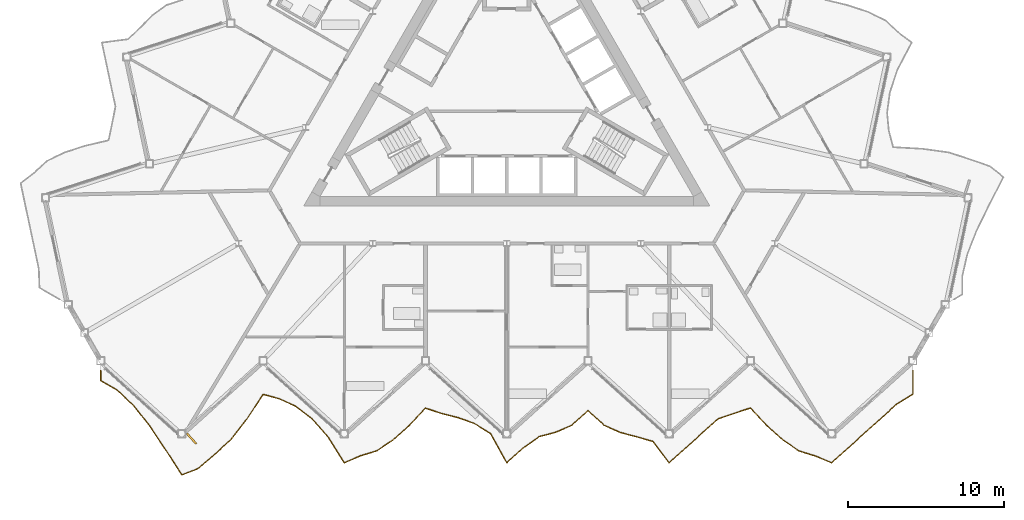
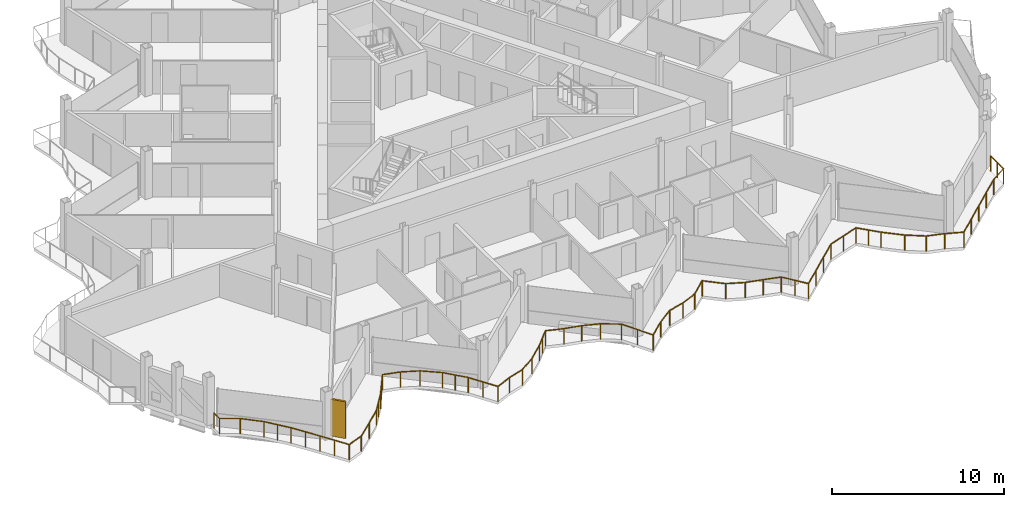
# One storey, part 21 of 25: 1 railing, 1 shading device.
"""IFC4 building model written with IfcOpenShell, lengths in metres."""

from ifc_helpers import new_model, si_unit, direction, frame, origin, origin_2d, place, context, subcontext, project, spatial, rectangle, circle, extrude, material, layer, layer_set, type_object, element, save


model = new_model("IFC4")

# Units and contexts
model_context = context("Model", 3, precision=1e-05, world=origin(), true_north=direction((0.0, 1.0)))
body_context = subcontext(model_context, "Body", "Model", "MODEL_VIEW")
ifc_project = project(units=[si_unit("LENGTHUNIT", "METRE"), si_unit("AREAUNIT", "SQUARE_METRE"), si_unit("VOLUMEUNIT", "CUBIC_METRE"), si_unit("PLANEANGLEUNIT", "RADIAN"), si_unit("MASSUNIT", "GRAM", prefix="KILO")], contexts=[model_context])

# Site, building, storey
site_placement = place(None, origin())
site = spatial("IfcSite", under=ifc_project, at=site_placement, CompositionType="ELEMENT")
building_placement = place(site_placement, origin())
building = spatial("IfcBuilding", under=site, at=building_placement, Name="Cormorant Prow Tower", CompositionType="ELEMENT")
storey_placement = place(building_placement, frame((0.0, 0.0, 395.0)))
storey = spatial("IfcBuildingStorey", under=building, at=storey_placement, Name="L90", CompositionType="ELEMENT", Elevation=395.0)

# Railing
ifc_material_1 = material(Name="Aluminium 6063-T6", Category="aluminium")
railing_type = type_object("IfcRailingType", Name="Balcony guard 1100", PredefinedType="GUARDRAIL", material=ifc_material_1)
railing_placement = place(storey_placement, frame((-26.0, -18.044921875, 0.0)))
element("IfcRailing", 1, at=railing_placement, inside=storey, type_object=railing_type, Name="Balcony guard S", PredefinedType="GUARDRAIL", context=body_context, shape_type="SweptSolid", body=[
    extrude(circle(Radius=0.02392578125, at=origin_2d()), frame((0.0, 0.0, 1.076171875), z_axis=(0.0, -1.0, 0.0), x_axis=(1.0, 0.0, 0.0)), (0.0, 0.0, 1.0), 0.635986328125),
    extrude(circle(Radius=0.02392578125, at=origin_2d()), frame((0.0, -0.635986328125, 1.076171875), z_axis=(0.864396442809, -0.502810888564, 0.0), x_axis=(0.502810888564, 0.864396442809, 0.0)), (0.0, 0.0, 1.0), 1.203125),
    extrude(circle(Radius=0.02392578125, at=origin_2d()), frame((1.0400390625, -1.240966796875, 1.076171875), z_axis=(0.733884713908, -0.679274043882, 0.0), x_axis=(0.679274043882, 0.733884713908, 0.0)), (0.0, 0.0, 1.0), 1.417236328125),
    extrude(circle(Radius=0.02392578125, at=origin_2d()), frame((2.080078125, -2.20361328125, 1.076171875), z_axis=(0.620919454302, -0.783874372122, 0.0), x_axis=(0.783874372122, 0.620919454302, 0.0)), (0.0, 0.0, 1.0), 1.675048828125),
    extrude(circle(Radius=0.02392578125, at=origin_2d()), frame((3.1201171875, -3.5166015625, 1.076171875), z_axis=(0.55647790482, -0.830862408253, 0.0), x_axis=(0.830862408253, 0.55647790482, 0.0)), (0.0, 0.0, 1.0), 1.868408203125),
    extrude(circle(Radius=0.02392578125, at=origin_2d()), frame((4.159912109375, -5.069091796875, 1.076171875), z_axis=(0.542590967202, -0.83999704899, 0.0), x_axis=(0.83999704899, 0.542590967202, 0.0)), (0.0, 0.0, 1.0), 1.916748046875),
    extrude(circle(Radius=0.02392578125, at=origin_2d()), frame((5.199951171875, -6.67919921875, 1.076171875), z_axis=(0.932349263928, 0.361558916434, 0.0), x_axis=(-0.361558916434, 0.932349263928, 0.0)), (0.0, 0.0, 1.0), 1.115478515625),
    extrude(circle(Radius=0.02392578125, at=origin_2d()), frame((6.239990234375, -6.27587890625, 1.076171875), z_axis=(0.757358418956, 0.652999406766, 0.0), x_axis=(-0.652999406766, 0.757358418956, 0.0)), (0.0, 0.0, 1.0), 1.373291015625),
    extrude(circle(Radius=0.02392578125, at=origin_2d()), frame((7.280029296875, -5.379150390625, 1.076171875), z_axis=(0.743120643554, 0.66915746213, 0.0), x_axis=(-0.66915746213, 0.743120643554, 0.0)), (0.0, 0.0, 1.0), 1.399658203125),
    extrude(circle(Radius=0.02392578125, at=origin_2d()), frame((8.320068359375, -4.442626953125, 1.076171875), z_axis=(0.615700134743, 0.787980548032, 0.0), x_axis=(-0.787980548032, 0.615700134743, 0.0)), (0.0, 0.0, 1.0), 1.689208984375),
    extrude(circle(Radius=0.02392578125, at=origin_2d()), frame((9.360107421875, -3.111572265625, 1.076171875), z_axis=(0.547529895788, 0.83678612155, 0.0), x_axis=(-0.83678612155, 0.547529895788, 0.0)), (0.0, 0.0, 1.0), 1.899169921875),
    extrude(circle(Radius=0.02392578125, at=origin_2d()), frame((10.39990234375, -1.5224609375, 1.076171875), z_axis=(0.964868281204, -0.262734085962, 0.0), x_axis=(0.262734085962, 0.964868281204, 0.0)), (0.0, 0.0, 1.0), 1.077880859375),
    extrude(circle(Radius=0.02392578125, at=origin_2d()), frame((11.43994140625, -1.8056640625, 1.076171875), z_axis=(0.909751133276, -0.415154038284, 0.0), x_axis=(0.415154038284, 0.909751133276, 0.0)), (0.0, 0.0, 1.0), 1.143310546875),
    extrude(circle(Radius=0.02392578125, at=origin_2d()), frame((12.47998046875, -2.2802734375, 1.076171875), z_axis=(0.791718050431, -0.610886674124, 0.0), x_axis=(0.610886674124, 0.791718050431, 0.0)), (0.0, 0.0, 1.0), 1.313720703125),
    extrude(circle(Radius=0.02392578125, at=origin_2d()), frame((13.52001953125, -3.082763671875, 1.076171875), z_axis=(0.664557470965, -0.74723715632, 0.0), x_axis=(0.74723715632, 0.664557470965, 0.0)), (0.0, 0.0, 1.0), 1.56494140625),
    extrude(circle(Radius=0.02392578125, at=origin_2d()), frame((14.56005859375, -4.252197265625, 1.076171875), z_axis=(0.533258081945, -0.845952609808, 0.0), x_axis=(0.845952609808, 0.533258081945, 0.0)), (0.0, 0.0, 1.0), 1.950439453125),
    extrude(circle(Radius=0.02392578125, at=origin_2d()), frame((15.60009765625, -5.902099609375, 1.076171875), z_axis=(0.919245475493, 0.393684843226, 0.0), x_axis=(-0.393684843226, 0.919245475493, 0.0)), (0.0, 0.0, 1.0), 1.131103515625),
    extrude(circle(Radius=0.02392578125, at=origin_2d()), frame((16.639892578125, -5.456787109375, 1.076171875), z_axis=(0.955953509984, 0.293518119967, 0.0), x_axis=(-0.293518119967, 0.955953509984, 0.0)), (0.0, 0.0, 1.0), 1.087890625),
    extrude(circle(Radius=0.02392578125, at=origin_2d()), frame((17.679931640625, -5.137451171875, 1.076171875), z_axis=(0.831509373166, 0.555510722073, 0.0), x_axis=(-0.555510722073, 0.831509373166, 0.0)), (0.0, 0.0, 1.0), 1.250732421875),
    extrude(circle(Radius=0.02392578125, at=origin_2d()), frame((18.719970703125, -4.442626953125, 1.076171875), z_axis=(0.743207391022, 0.669061113749, 0.0), x_axis=(-0.669061113749, 0.743207391022, 0.0)), (0.0, 0.0, 1.0), 1.3994140625),
    extrude(circle(Radius=0.02392578125, at=origin_2d()), frame((19.760009765625, -3.50634765625, 1.076171875), z_axis=(0.687395464492, 0.726283329972, 0.0), x_axis=(-0.726283329972, 0.687395464492, 0.0)), (0.0, 0.0, 1.0), 1.512939453125),
    extrude(circle(Radius=0.02392578125, at=origin_2d()), frame((20.800048828125, -2.407470703125, 1.076171875), z_axis=(0.948883575785, -0.315626297391, 0.0), x_axis=(0.315626297391, 0.948883575785, 0.0)), (0.0, 0.0, 1.0), 1.095947265625),
    extrude(circle(Radius=0.02392578125, at=origin_2d()), frame((21.840087890625, -2.75341796875, 1.076171875), z_axis=(0.970449995809, -0.241302311707, 0.0), x_axis=(0.241302311707, 0.970449995809, 0.0)), (0.0, 0.0, 1.0), 1.071533203125),
    extrude(circle(Radius=0.02392578125, at=origin_2d()), frame((22.8798828125, -3.011962890625, 1.076171875), z_axis=(0.941981804589, -0.335663938818, 0.0), x_axis=(0.335663938818, 0.941981804589, 0.0)), (0.0, 0.0, 1.0), 1.10400390625),
    extrude(circle(Radius=0.02392578125, at=origin_2d()), frame((23.919921875, -3.382568359375, 1.076171875), z_axis=(0.848221951078, -0.529640936588, 0.0), x_axis=(0.529640936588, 0.848221951078, 0.0)), (0.0, 0.0, 1.0), 1.22607421875),
    extrude(circle(Radius=0.02392578125, at=origin_2d()), frame((24.9599609375, -4.031982421875, 1.076171875), z_axis=(0.486030364493, -0.873941923008, 0.0), x_axis=(0.873941923008, 0.486030364493, 0.0)), (0.0, 0.0, 1.0), 2.139892578125),
    extrude(circle(Radius=0.02392578125, at=origin_2d()), frame((26.0, -5.902099609375, 1.076171875), z_axis=(0.743120643554, 0.66915746213, 0.0), x_axis=(-0.66915746213, 0.743120643554, 0.0)), (0.0, 0.0, 1.0), 1.399658203125),
    extrude(circle(Radius=0.02392578125, at=origin_2d()), frame((27.0400390625, -4.965576171875, 1.076171875), z_axis=(0.814172299097, 0.580623343816, 0.0), x_axis=(-0.580623343816, 0.814172299097, 0.0)), (0.0, 0.0, 1.0), 1.27734375),
    extrude(circle(Radius=0.02392578125, at=origin_2d()), frame((28.080078125, -4.223876953125, 1.076171875), z_axis=(0.967855696757, 0.251506163453, 0.0), x_axis=(-0.251506163453, 0.967855696757, 0.0)), (0.0, 0.0, 1.0), 1.074462890625),
    extrude(circle(Radius=0.02392578125, at=origin_2d()), frame((29.1201171875, -3.95361328125, 1.076171875), z_axis=(0.918619868095, 0.395142427412, 0.0), x_axis=(-0.395142427412, 0.918619868095, 0.0)), (0.0, 0.0, 1.0), 1.1318359375),
    extrude(circle(Radius=0.02392578125, at=origin_2d()), frame((30.159912109375, -3.50634765625, 1.076171875), z_axis=(0.743120643554, 0.66915746213, 0.0), x_axis=(-0.66915746213, 0.743120643554, 0.0)), (0.0, 0.0, 1.0), 1.399658203125),
    extrude(circle(Radius=0.02392578125, at=origin_2d()), frame((31.199951171875, -2.56982421875, 1.076171875), z_axis=(0.743120643554, -0.66915746213, 0.0), x_axis=(0.66915746213, 0.743120643554, 0.0)), (0.0, 0.0, 1.0), 1.399658203125),
    extrude(circle(Radius=0.02392578125, at=origin_2d()), frame((32.239990234375, -3.50634765625, 1.076171875), z_axis=(0.914076803358, -0.405541116983, 0.0), x_axis=(0.405541116983, 0.914076803358, 0.0)), (0.0, 0.0, 1.0), 1.1376953125),
    extrude(circle(Radius=0.02392578125, at=origin_2d()), frame((33.280029296875, -3.9677734375, 1.076171875), z_axis=(0.967467575044, -0.252995041925, 0.0), x_axis=(0.252995041925, 0.967467575044, 0.0)), (0.0, 0.0, 1.0), 1.074951171875),
    extrude(circle(Radius=0.02392578125, at=origin_2d()), frame((34.320068359375, -4.23974609375, 1.076171875), z_axis=(0.961233911112, -0.275734234596, 0.0), x_axis=(0.275734234596, 0.961233911112, 0.0)), (0.0, 0.0, 1.0), 1.08203125),
    extrude(circle(Radius=0.02392578125, at=origin_2d()), frame((35.360107421875, -4.5380859375, 1.076171875), z_axis=(0.606244765266, -0.79527811776, 0.0), x_axis=(0.79527811776, 0.606244765266, 0.0)), (0.0, 0.0, 1.0), 1.715087890625),
    extrude(circle(Radius=0.02392578125, at=origin_2d()), frame((36.39990234375, -5.902099609375, 1.076171875), z_axis=(0.743120643554, 0.66915746213, 0.0), x_axis=(-0.66915746213, 0.743120643554, 0.0)), (0.0, 0.0, 1.0), 1.399658203125),
    extrude(circle(Radius=0.02392578125, at=origin_2d()), frame((37.43994140625, -4.965576171875, 1.076171875), z_axis=(0.743120643554, 0.66915746213, 0.0), x_axis=(-0.66915746213, 0.743120643554, 0.0)), (0.0, 0.0, 1.0), 1.399658203125),
    extrude(circle(Radius=0.02392578125, at=origin_2d()), frame((38.47998046875, -4.029052734375, 1.076171875), z_axis=(0.743207391022, 0.669061113749, 0.0), x_axis=(-0.669061113749, 0.743207391022, 0.0)), (0.0, 0.0, 1.0), 1.3994140625),
    extrude(circle(Radius=0.02392578125, at=origin_2d()), frame((39.52001953125, -3.0927734375, 1.076171875), z_axis=(0.946460827977, 0.322818681467, 0.0), x_axis=(-0.322818681467, 0.946460827977, 0.0)), (0.0, 0.0, 1.0), 1.098876953125),
    extrude(circle(Radius=0.02392578125, at=origin_2d()), frame((40.56005859375, -2.738037109375, 1.076171875), z_axis=(0.950012851822, 0.312210796374, 0.0), x_axis=(-0.312210796374, 0.950012851822, 0.0)), (0.0, 0.0, 1.0), 1.0947265625),
    extrude(circle(Radius=0.02392578125, at=origin_2d()), frame((41.60009765625, -2.396240234375, 1.076171875), z_axis=(0.683615367354, -0.729842468974, 0.0), x_axis=(0.729842468974, 0.683615367354, 0.0)), (0.0, 0.0, 1.0), 1.52099609375),
    extrude(circle(Radius=0.02392578125, at=origin_2d()), frame((42.639892578125, -3.50634765625, 1.076171875), z_axis=(0.743207391022, -0.669061113749, 0.0), x_axis=(0.669061113749, 0.743207391022, 0.0)), (0.0, 0.0, 1.0), 1.3994140625),
    extrude(circle(Radius=0.02392578125, at=origin_2d()), frame((43.679931640625, -4.442626953125, 1.076171875), z_axis=(0.82699871034, -0.562203818109, 0.0), x_axis=(0.562203818109, 0.82699871034, 0.0)), (0.0, 0.0, 1.0), 1.257568359375),
    extrude(circle(Radius=0.02392578125, at=origin_2d()), frame((44.719970703125, -5.149658203125, 1.076171875), z_axis=(0.955005033628, -0.29658959143, 0.0), x_axis=(0.29658959143, 0.955005033628, 0.0)), (0.0, 0.0, 1.0), 1.089111328125),
    extrude(circle(Radius=0.02392578125, at=origin_2d()), frame((45.760009765625, -5.47265625, 1.076171875), z_axis=(0.924304692506, -0.381655388291, 0.0), x_axis=(0.381655388291, 0.924304692506, 0.0)), (0.0, 0.0, 1.0), 1.125244140625),
    extrude(circle(Radius=0.02392578125, at=origin_2d()), frame((46.800048828125, -5.902099609375, 1.076171875), z_axis=(0.743120643554, 0.66915746213, 0.0), x_axis=(-0.66915746213, 0.743120643554, 0.0)), (0.0, 0.0, 1.0), 1.399658203125),
    extrude(circle(Radius=0.02392578125, at=origin_2d()), frame((47.840087890625, -4.965576171875, 1.076171875), z_axis=(0.74304251841, 0.669244212403, 0.0), x_axis=(-0.669244212403, 0.74304251841, 0.0)), (0.0, 0.0, 1.0), 1.3994140625),
    extrude(circle(Radius=0.02392578125, at=origin_2d()), frame((48.8798828125, -4.029052734375, 1.076171875), z_axis=(0.743207391022, 0.669061113749, 0.0), x_axis=(-0.669061113749, 0.743207391022, 0.0)), (0.0, 0.0, 1.0), 1.3994140625),
    extrude(circle(Radius=0.02392578125, at=origin_2d()), frame((49.919921875, -3.0927734375, 1.076171875), z_axis=(0.743120643554, 0.66915746213, 0.0), x_axis=(-0.66915746213, 0.743120643554, 0.0)), (0.0, 0.0, 1.0), 1.399658203125),
    extrude(circle(Radius=0.02392578125, at=origin_2d()), frame((50.9599609375, -2.15625, 1.076171875), z_axis=(0.84813249623, 0.529784171941, 0.0), x_axis=(-0.529784171941, 0.84813249623, 0.0)), (0.0, 0.0, 1.0), 1.226318359375),
    extrude(circle(Radius=0.02392578125, at=origin_2d()), frame((52.0, -1.506591796875, 1.076171875), z_axis=(0.0, 1.0, 0.0), x_axis=(-1.0, 0.0, 0.0)), (0.0, 0.0, 1.0), 1.506591796875),
    extrude(circle(Radius=0.02099609375, at=origin_2d()), origin(), (0.0, 0.0, 1.0), 1.052001953125),
    extrude(circle(Radius=0.02099609375, at=origin_2d()), frame((0.0, -0.635986328125, 0.0)), (0.0, 0.0, 1.0), 1.052001953125),
    extrude(circle(Radius=0.02099609375, at=origin_2d()), frame((1.0400390625, -1.240966796875, 0.0)), (0.0, 0.0, 1.0), 1.052001953125),
    extrude(circle(Radius=0.02099609375, at=origin_2d()), frame((2.080078125, -2.20361328125, 0.0)), (0.0, 0.0, 1.0), 1.052001953125),
    extrude(circle(Radius=0.02099609375, at=origin_2d()), frame((2.60009765625, -2.860107421875, 0.0)), (0.0, 0.0, 1.0), 1.052001953125),
    extrude(circle(Radius=0.02099609375, at=origin_2d()), frame((3.1201171875, -3.5166015625, 0.0)), (0.0, 0.0, 1.0), 1.052001953125),
    extrude(circle(Radius=0.02099609375, at=origin_2d()), frame((3.64013671875, -4.29296875, 0.0)), (0.0, 0.0, 1.0), 1.052001953125),
    extrude(circle(Radius=0.02099609375, at=origin_2d()), frame((4.159912109375, -5.069091796875, 0.0)), (0.0, 0.0, 1.0), 1.052001953125),
    extrude(circle(Radius=0.02099609375, at=origin_2d()), frame((4.679931640625, -5.8740234375, 0.0)), (0.0, 0.0, 1.0), 1.052001953125),
    extrude(circle(Radius=0.02099609375, at=origin_2d()), frame((5.199951171875, -6.67919921875, 0.0)), (0.0, 0.0, 1.0), 1.052001953125),
    extrude(circle(Radius=0.02099609375, at=origin_2d()), frame((6.239990234375, -6.27587890625, 0.0)), (0.0, 0.0, 1.0), 1.052001953125),
    extrude(circle(Radius=0.02099609375, at=origin_2d()), frame((7.280029296875, -5.379150390625, 0.0)), (0.0, 0.0, 1.0), 1.052001953125),
    extrude(circle(Radius=0.02099609375, at=origin_2d()), frame((8.320068359375, -4.442626953125, 0.0)), (0.0, 0.0, 1.0), 1.052001953125),
    extrude(circle(Radius=0.02099609375, at=origin_2d()), frame((8.840087890625, -3.777099609375, 0.0)), (0.0, 0.0, 1.0), 1.052001953125),
    extrude(circle(Radius=0.02099609375, at=origin_2d()), frame((9.360107421875, -3.111572265625, 0.0)), (0.0, 0.0, 1.0), 1.052001953125),
    extrude(circle(Radius=0.02099609375, at=origin_2d()), frame((9.8798828125, -2.31689453125, 0.0)), (0.0, 0.0, 1.0), 1.052001953125),
    extrude(circle(Radius=0.02099609375, at=origin_2d()), frame((10.39990234375, -1.5224609375, 0.0)), (0.0, 0.0, 1.0), 1.052001953125),
    extrude(circle(Radius=0.02099609375, at=origin_2d()), frame((11.43994140625, -1.8056640625, 0.0)), (0.0, 0.0, 1.0), 1.052001953125),
    extrude(circle(Radius=0.02099609375, at=origin_2d()), frame((12.47998046875, -2.2802734375, 0.0)), (0.0, 0.0, 1.0), 1.052001953125),
    extrude(circle(Radius=0.02099609375, at=origin_2d()), frame((13.52001953125, -3.082763671875, 0.0)), (0.0, 0.0, 1.0), 1.052001953125),
    extrude(circle(Radius=0.02099609375, at=origin_2d()), frame((14.0400390625, -3.66748046875, 0.0)), (0.0, 0.0, 1.0), 1.052001953125),
    extrude(circle(Radius=0.02099609375, at=origin_2d()), frame((14.56005859375, -4.252197265625, 0.0)), (0.0, 0.0, 1.0), 1.052001953125),
    extrude(circle(Radius=0.02099609375, at=origin_2d()), frame((15.080078125, -5.0771484375, 0.0)), (0.0, 0.0, 1.0), 1.052001953125),
    extrude(circle(Radius=0.02099609375, at=origin_2d()), frame((15.60009765625, -5.902099609375, 0.0)), (0.0, 0.0, 1.0), 1.052001953125),
    extrude(circle(Radius=0.02099609375, at=origin_2d()), frame((16.639892578125, -5.456787109375, 0.0)), (0.0, 0.0, 1.0), 1.052001953125),
    extrude(circle(Radius=0.02099609375, at=origin_2d()), frame((17.679931640625, -5.137451171875, 0.0)), (0.0, 0.0, 1.0), 1.052001953125),
    extrude(circle(Radius=0.02099609375, at=origin_2d()), frame((18.719970703125, -4.442626953125, 0.0)), (0.0, 0.0, 1.0), 1.052001953125),
    extrude(circle(Radius=0.02099609375, at=origin_2d()), frame((19.760009765625, -3.50634765625, 0.0)), (0.0, 0.0, 1.0), 1.052001953125),
    extrude(circle(Radius=0.02099609375, at=origin_2d()), frame((20.280029296875, -2.95703125, 0.0)), (0.0, 0.0, 1.0), 1.052001953125),
    extrude(circle(Radius=0.02099609375, at=origin_2d()), frame((20.800048828125, -2.407470703125, 0.0)), (0.0, 0.0, 1.0), 1.052001953125),
    extrude(circle(Radius=0.02099609375, at=origin_2d()), frame((21.840087890625, -2.75341796875, 0.0)), (0.0, 0.0, 1.0), 1.052001953125),
    extrude(circle(Radius=0.02099609375, at=origin_2d()), frame((22.8798828125, -3.011962890625, 0.0)), (0.0, 0.0, 1.0), 1.052001953125),
    extrude(circle(Radius=0.02099609375, at=origin_2d()), frame((23.919921875, -3.382568359375, 0.0)), (0.0, 0.0, 1.0), 1.052001953125),
    extrude(circle(Radius=0.02099609375, at=origin_2d()), frame((24.9599609375, -4.031982421875, 0.0)), (0.0, 0.0, 1.0), 1.052001953125),
    extrude(circle(Radius=0.02099609375, at=origin_2d()), frame((25.47998046875, -4.967041015625, 0.0)), (0.0, 0.0, 1.0), 1.052001953125),
    extrude(circle(Radius=0.02099609375, at=origin_2d()), frame((26.0, -5.902099609375, 0.0)), (0.0, 0.0, 1.0), 1.052001953125),
    extrude(circle(Radius=0.02099609375, at=origin_2d()), frame((27.0400390625, -4.965576171875, 0.0)), (0.0, 0.0, 1.0), 1.052001953125),
    extrude(circle(Radius=0.02099609375, at=origin_2d()), frame((28.080078125, -4.223876953125, 0.0)), (0.0, 0.0, 1.0), 1.052001953125),
    extrude(circle(Radius=0.02099609375, at=origin_2d()), frame((29.1201171875, -3.95361328125, 0.0)), (0.0, 0.0, 1.0), 1.052001953125),
    extrude(circle(Radius=0.02099609375, at=origin_2d()), frame((30.159912109375, -3.50634765625, 0.0)), (0.0, 0.0, 1.0), 1.052001953125),
    extrude(circle(Radius=0.02099609375, at=origin_2d()), frame((31.199951171875, -2.56982421875, 0.0)), (0.0, 0.0, 1.0), 1.052001953125),
    extrude(circle(Radius=0.02099609375, at=origin_2d()), frame((32.239990234375, -3.50634765625, 0.0)), (0.0, 0.0, 1.0), 1.052001953125),
    extrude(circle(Radius=0.02099609375, at=origin_2d()), frame((33.280029296875, -3.9677734375, 0.0)), (0.0, 0.0, 1.0), 1.052001953125),
    extrude(circle(Radius=0.02099609375, at=origin_2d()), frame((34.320068359375, -4.23974609375, 0.0)), (0.0, 0.0, 1.0), 1.052001953125),
    extrude(circle(Radius=0.02099609375, at=origin_2d()), frame((35.360107421875, -4.5380859375, 0.0)), (0.0, 0.0, 1.0), 1.052001953125),
    extrude(circle(Radius=0.02099609375, at=origin_2d()), frame((35.8798828125, -5.22021484375, 0.0)), (0.0, 0.0, 1.0), 1.052001953125),
    extrude(circle(Radius=0.02099609375, at=origin_2d()), frame((36.39990234375, -5.902099609375, 0.0)), (0.0, 0.0, 1.0), 1.052001953125),
    extrude(circle(Radius=0.02099609375, at=origin_2d()), frame((37.43994140625, -4.965576171875, 0.0)), (0.0, 0.0, 1.0), 1.052001953125),
    extrude(circle(Radius=0.02099609375, at=origin_2d()), frame((38.47998046875, -4.029052734375, 0.0)), (0.0, 0.0, 1.0), 1.052001953125),
    extrude(circle(Radius=0.02099609375, at=origin_2d()), frame((39.52001953125, -3.0927734375, 0.0)), (0.0, 0.0, 1.0), 1.052001953125),
    extrude(circle(Radius=0.02099609375, at=origin_2d()), frame((40.56005859375, -2.738037109375, 0.0)), (0.0, 0.0, 1.0), 1.052001953125),
    extrude(circle(Radius=0.02099609375, at=origin_2d()), frame((41.60009765625, -2.396240234375, 0.0)), (0.0, 0.0, 1.0), 1.052001953125),
    extrude(circle(Radius=0.02099609375, at=origin_2d()), frame((42.1201171875, -2.951171875, 0.0)), (0.0, 0.0, 1.0), 1.052001953125),
    extrude(circle(Radius=0.02099609375, at=origin_2d()), frame((42.639892578125, -3.50634765625, 0.0)), (0.0, 0.0, 1.0), 1.052001953125),
    extrude(circle(Radius=0.02099609375, at=origin_2d()), frame((43.679931640625, -4.442626953125, 0.0)), (0.0, 0.0, 1.0), 1.052001953125),
    extrude(circle(Radius=0.02099609375, at=origin_2d()), frame((44.719970703125, -5.149658203125, 0.0)), (0.0, 0.0, 1.0), 1.052001953125),
    extrude(circle(Radius=0.02099609375, at=origin_2d()), frame((45.760009765625, -5.47265625, 0.0)), (0.0, 0.0, 1.0), 1.052001953125),
    extrude(circle(Radius=0.02099609375, at=origin_2d()), frame((46.800048828125, -5.902099609375, 0.0)), (0.0, 0.0, 1.0), 1.052001953125),
    extrude(circle(Radius=0.02099609375, at=origin_2d()), frame((47.840087890625, -4.965576171875, 0.0)), (0.0, 0.0, 1.0), 1.052001953125),
    extrude(circle(Radius=0.02099609375, at=origin_2d()), frame((48.8798828125, -4.029052734375, 0.0)), (0.0, 0.0, 1.0), 1.052001953125),
    extrude(circle(Radius=0.02099609375, at=origin_2d()), frame((49.919921875, -3.0927734375, 0.0)), (0.0, 0.0, 1.0), 1.052001953125),
    extrude(circle(Radius=0.02099609375, at=origin_2d()), frame((50.9599609375, -2.15625, 0.0)), (0.0, 0.0, 1.0), 1.052001953125),
    extrude(circle(Radius=0.02099609375, at=origin_2d()), frame((52.0, -1.506591796875, 0.0)), (0.0, 0.0, 1.0), 1.052001953125),
    extrude(circle(Radius=0.02099609375, at=origin_2d()), frame((52.0, -0.75341796875, 0.0)), (0.0, 0.0, 1.0), 1.052001953125),
    extrude(circle(Radius=0.02099609375, at=origin_2d()), frame((52.0, 0.0, 0.0)), (0.0, 0.0, 1.0), 1.052001953125),
])

# Shading device
ifc_material_2 = material(Name="Terracotta", Category="masonry")
ifc_layer = layer(ifc_material_2, 0.1201171875)
ifc_layer_set = layer_set([ifc_layer], Name="Terracotta")
shading_device_type = type_object("IfcShadingDeviceType", Name="Terracotta baguette fin 120x900x2600", PredefinedType="USERDEFINED", material=ifc_layer_set)
shading_device_placement = place(storey_placement, frame((-20.182373046875, -22.396240234375, 0.0), z_axis=(0.0, 0.0, 1.0), x_axis=(0.743144827638, 0.669130603959, 0.0)))
element("IfcShadingDevice", 2, at=shading_device_placement, inside=storey, type_object=shading_device_type, Name="Baguette fin S01", ObjectType="BAGUETTE", PredefinedType="USERDEFINED", context=body_context, shape_type="SweptSolid", body=[
    extrude(rectangle(XDim=0.1201171875, YDim=0.89990234375, at=origin_2d()), origin(), (0.0, 0.0, 1.0), 2.60009765625),
])

save(model, "model.ifc")
